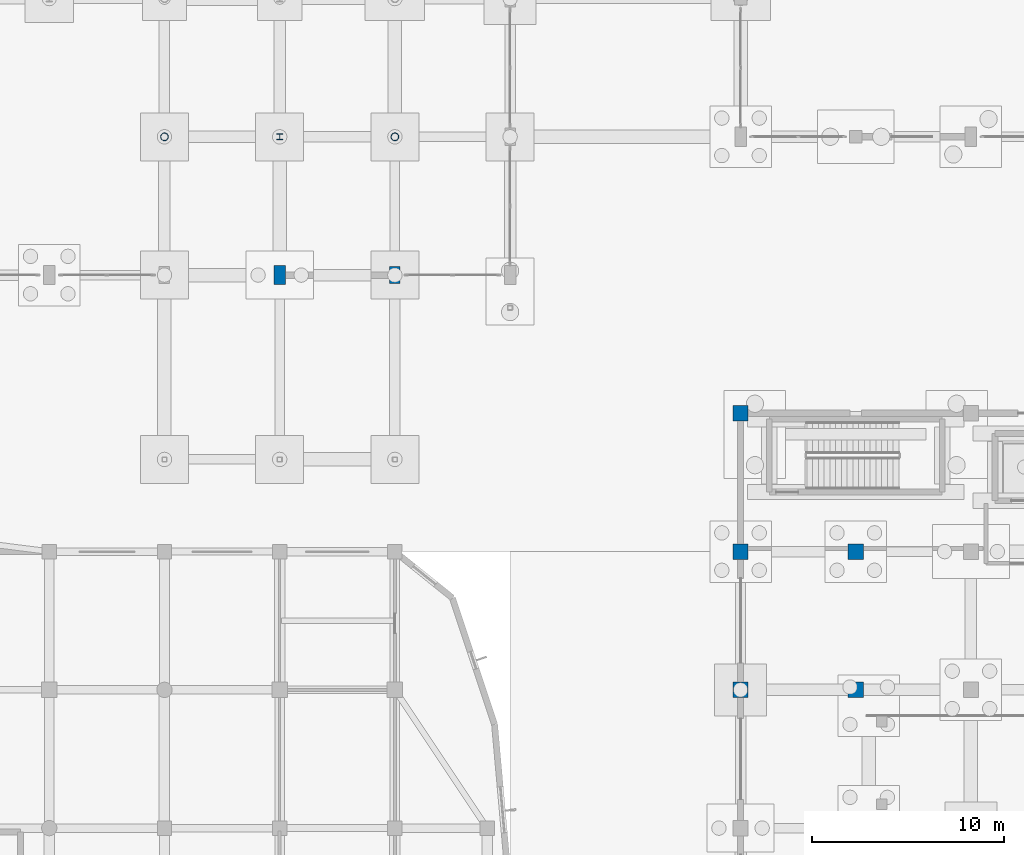
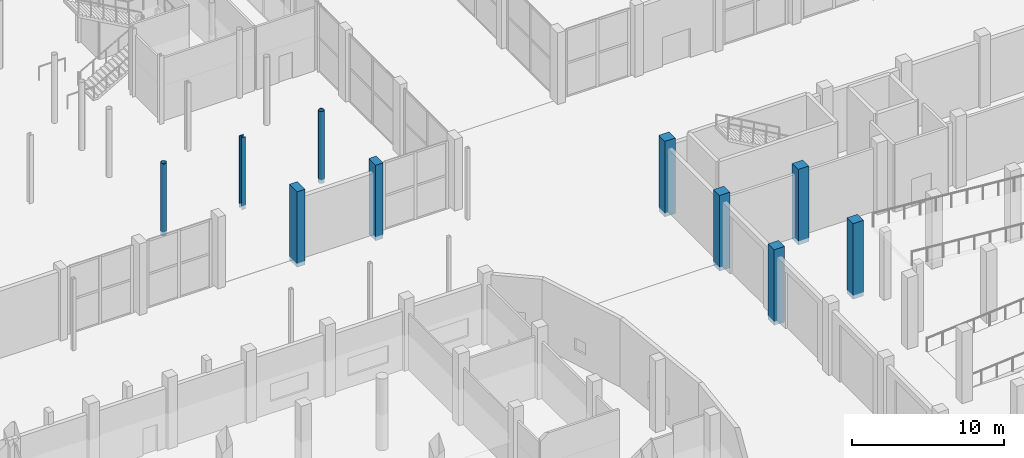
# One storey, part 20 of 103: 10 columns.
"""IFC4 building model written with IfcOpenShell, lengths in metres."""

from ifc_helpers import new_model, si_unit, direction, frame, origin, origin_2d, place, context, subcontext, project, spatial, rectangle, hollow_circle, i_section, extrude, material, material_profile, profile_set, type_object, element, save


model = new_model("IFC4")

# Units and contexts
model_context = context("Model", 3, precision=1e-05, world=origin(), true_north=direction((0.0, 1.0)))
body_context = subcontext(model_context, "Body", "Model", "MODEL_VIEW")
ifc_project = project(units=[si_unit("LENGTHUNIT", "METRE"), si_unit("AREAUNIT", "SQUARE_METRE"), si_unit("VOLUMEUNIT", "CUBIC_METRE"), si_unit("PLANEANGLEUNIT", "RADIAN"), si_unit("MASSUNIT", "GRAM", prefix="KILO")], contexts=[model_context])

# Site, building, storey
site_placement = place(None, origin())
site = spatial("IfcSite", under=ifc_project, at=site_placement, CompositionType="ELEMENT")
building_placement = place(site_placement, origin())
building = spatial("IfcBuilding", under=site, at=building_placement, Name="Dunvalen Ferry Terminal", CompositionType="ELEMENT")
storey_placement = place(building_placement, origin())
storey = spatial("IfcBuildingStorey", under=building, at=storey_placement, Name="L00", CompositionType="ELEMENT", Elevation=0.0)

# Columns
ifc_material_1 = material(Name="Steel S355", Category="steel")
ifc_material_profile_1 = material_profile(ifc_material_1, hollow_circle(Radius=0.203125, WallThickness=0.01611328125, at=origin_2d()), Name="Steel S355")
ifc_profile_set_1 = profile_set([ifc_material_profile_1], Name="Steel S355")
column_type_1 = type_object("IfcColumnType", Name="STR-COL-CHS406", PredefinedType="COLUMN", material=ifc_profile_set_1)
for number, where, z_axis, x_axis, name in (
    (1, (78.0, 57.60009765625, -0.320068359375), (0.0, 0.0, 1.0), (1.0, 0.0, 0.0), "L00 Waiting Lounge Mezzanine Column 78-57"),
    (2, (90.0, 57.60009765625, -0.320068359375), (0.0, 0.0, 1.0), (1.0, 0.0, 0.0), "L00 Waiting Lounge Mezzanine Column 90-57"),
):
    element("IfcColumn", number, at=place(storey_placement, frame(where, z_axis=z_axis, x_axis=x_axis)), inside=storey, type_object=column_type_1, Name=name, PredefinedType="COLUMN", context=body_context, shape_type="SweptSolid", body=[
        extrude(hollow_circle(Radius=0.203125, WallThickness=0.01611328125, at=origin_2d()), origin(), (0.0, 0.0, 1.0), 5.800048828125),
    ])
ifc_material_2 = material(Name="Concrete C40/50", Category="concrete")
ifc_material_profile_2 = material_profile(ifc_material_2, rectangle(XDim=0.60009765625, YDim=1.0, at=origin_2d()), Name="Concrete C40/50")
ifc_profile_set_2 = profile_set([ifc_material_profile_2], Name="Concrete C40/50")
column_type_2 = type_object("IfcColumnType", Name="STR-COL-PIER1000", PredefinedType="COLUMN", material=ifc_profile_set_2)
column_1_placement = place(storey_placement, frame((84.0, 50.39990234375, -0.320068359375), z_axis=(0.0, 0.0, 1.0), x_axis=(1.0, 0.0, 0.0)))
element("IfcColumn", 3, at=column_1_placement, inside=storey, type_object=column_type_2, Name="L00 Departure Hall Perimeter Pier 13", PredefinedType="COLUMN", context=body_context, shape_type="SweptSolid", body=[
    extrude(rectangle(XDim=0.60009765625, YDim=1.0, at=origin_2d()), origin(), (0.0, 0.0, 1.0), 6.080078125),
])
ifc_material_profile_3 = material_profile(ifc_material_2, rectangle(XDim=0.550048828125, YDim=0.89990234375, at=origin_2d()), Name="Concrete C40/50")
ifc_profile_set_3 = profile_set([ifc_material_profile_3], Name="Concrete C40/50")
column_type_3 = type_object("IfcColumnType", Name="STR-COL-PIER900", PredefinedType="COLUMN", material=ifc_profile_set_3)
column_2_placement = place(storey_placement, frame((90.0, 50.39990234375, -0.320068359375), z_axis=(0.0, 0.0, 1.0), x_axis=(1.0, 0.0, 0.0)))
element("IfcColumn", 4, at=column_2_placement, inside=storey, type_object=column_type_3, Name="L00 Departure Hall Perimeter Pier 14", PredefinedType="COLUMN", context=body_context, shape_type="SweptSolid", body=[
    extrude(rectangle(XDim=0.550048828125, YDim=0.89990234375, at=origin_2d()), origin(), (0.0, 0.0, 1.0), 6.080078125),
])
ifc_material_profile_4 = material_profile(ifc_material_2, rectangle(XDim=0.800048828125, YDim=0.800048828125, at=origin_2d()), Name="Concrete C40/50")
ifc_profile_set_4 = profile_set([ifc_material_profile_4], Name="Concrete C40/50")
column_type_4 = type_object("IfcColumnType", Name="STR-COL-RC800", PredefinedType="COLUMN", material=ifc_profile_set_4)
for number, where, z_axis, x_axis, name in (
    (5, (108.0, 28.800048828125, -0.320068359375), (0.0, 0.0, 1.0), (1.0, 0.0, 0.0), "L00 Vehicle Marshalling Column 05"),
    (6, (108.0, 36.0, -0.320068359375), (0.0, 0.0, 1.0), (1.0, 0.0, 0.0), "L00 Vehicle Marshalling Column 06"),
    (7, (108.0, 43.199951171875, -0.320068359375), (0.0, 0.0, 1.0), (1.0, 0.0, 0.0), "L00 Vehicle Marshalling Column 07"),
    (8, (114.0, 28.800048828125, -0.320068359375), (0.0, 0.0, 1.0), (1.0, 0.0, 0.0), "L00 Vehicle Marshalling Column 12"),
    (9, (114.0, 36.0, -0.320068359375), (0.0, 0.0, 1.0), (1.0, 0.0, 0.0), "L00 Vehicle Marshalling Column 13"),
):
    element("IfcColumn", number, at=place(storey_placement, frame(where, z_axis=z_axis, x_axis=x_axis)), inside=storey, type_object=column_type_4, Name=name, PredefinedType="COLUMN", context=body_context, shape_type="SweptSolid", body=[
        extrude(rectangle(XDim=0.800048828125, YDim=0.800048828125, at=origin_2d()), origin(), (0.0, 0.0, 1.0), 6.080078125),
    ])
ifc_material_profile_5 = material_profile(ifc_material_1, i_section(OverallWidth=0.30908203125, OverallDepth=0.320556640625, WebThickness=0.013916015625, FlangeThickness=0.021728515625, FilletRadius=0.01513671875, at=origin_2d()), Name="Steel S355")
ifc_profile_set_5 = profile_set([ifc_material_profile_5], Name="Steel S355")
column_type_5 = type_object("IfcColumnType", Name="STR-COL-UKC305", PredefinedType="COLUMN", material=ifc_profile_set_5)
column_3_placement = place(storey_placement, frame((84.0, 57.60009765625, -0.320068359375), z_axis=(0.0, 0.0, 1.0), x_axis=(1.0, 0.0, 0.0)))
element("IfcColumn", 10, at=column_3_placement, inside=storey, type_object=column_type_5, Name="L00 Waiting Lounge Mezzanine Column 84-57", PredefinedType="COLUMN", context=body_context, shape_type="SweptSolid", body=[
    extrude(i_section(OverallWidth=0.30908203125, OverallDepth=0.320556640625, WebThickness=0.013916015625, FlangeThickness=0.021728515625, FilletRadius=0.01513671875, at=origin_2d()), origin(), (0.0, 0.0, 1.0), 5.800048828125),
])

save(model, "model.ifc")
